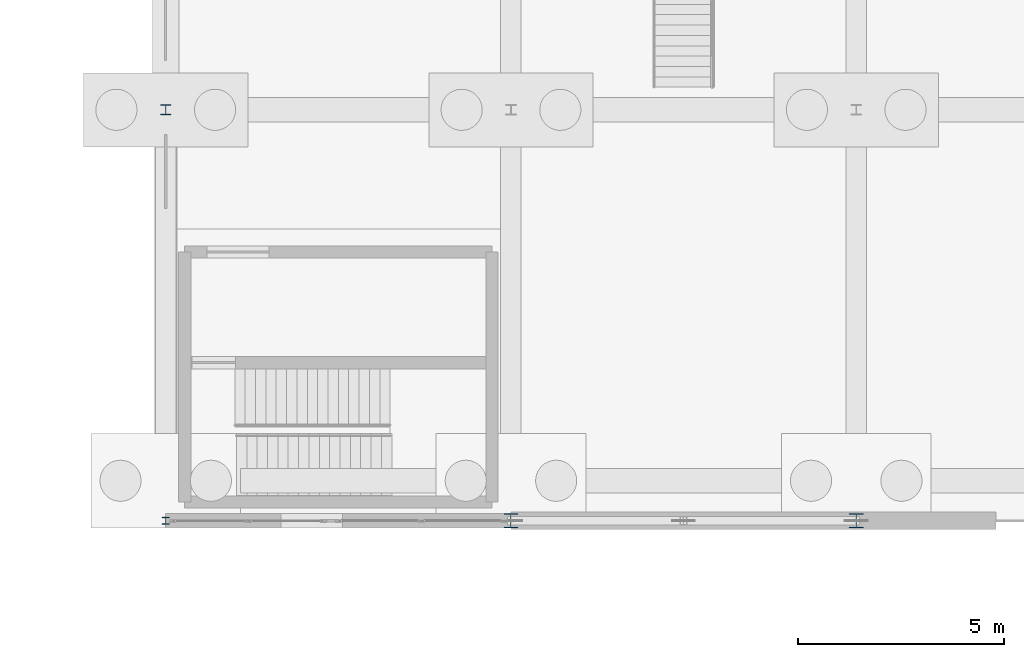
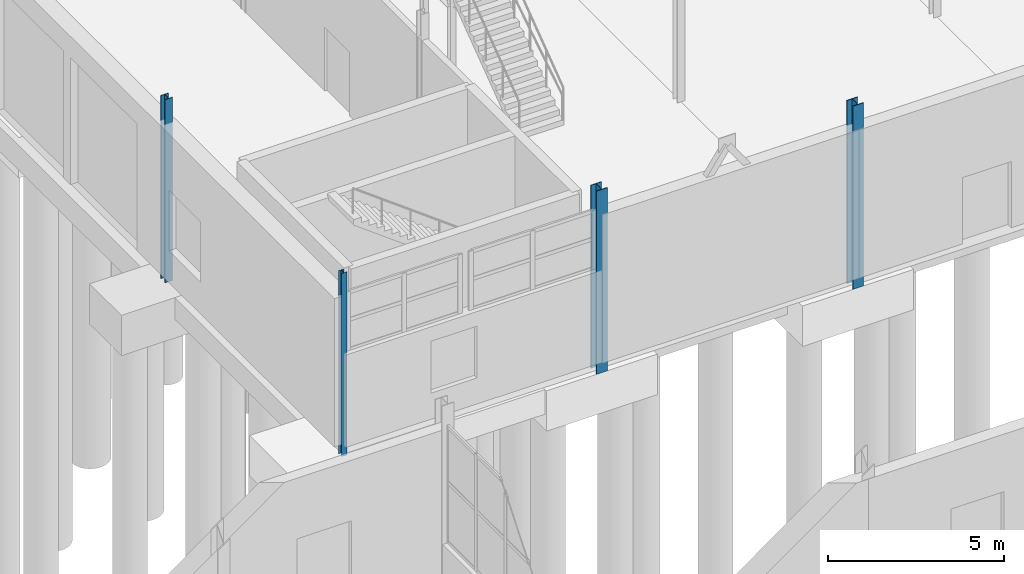
# One storey, part 23 of 139: 4 columns.
"""IFC4 building model written with IfcOpenShell, lengths in metres."""

from ifc_helpers import new_model, si_unit, direction, frame, origin, origin_2d, place, context, subcontext, project, spatial, i_section, extrude, material, material_profile, profile_set, type_object, element, save


model = new_model("IFC4")

# Units and contexts
model_context = context("Model", 3, precision=1e-05, world=origin(), true_north=direction((0.0, 1.0)))
body_context = subcontext(model_context, "Body", "Model", "MODEL_VIEW")
ifc_project = project(units=[si_unit("LENGTHUNIT", "METRE"), si_unit("AREAUNIT", "SQUARE_METRE"), si_unit("VOLUMEUNIT", "CUBIC_METRE"), si_unit("PLANEANGLEUNIT", "RADIAN"), si_unit("MASSUNIT", "GRAM", prefix="KILO")], contexts=[model_context])

# Site, building, storey
site_placement = place(None, origin())
site = spatial("IfcSite", under=ifc_project, at=site_placement, CompositionType="ELEMENT")
building_placement = place(site_placement, origin())
building = spatial("IfcBuilding", under=site, at=building_placement, Name="Kazenagashi Tramway Depot", CompositionType="ELEMENT")
storey_placement = place(building_placement, origin())
storey = spatial("IfcBuildingStorey", under=building, at=storey_placement, Name="L01", CompositionType="ELEMENT", Elevation=0.0)

# Columns
ifc_material_1 = material(Name="Steel SN490B", Category="steel")
ifc_material_profile_1 = material_profile(ifc_material_1, i_section(OverallWidth=0.35, OverallDepth=0.35, WebThickness=0.012, FlangeThickness=0.019, at=origin_2d()), Name="H-350x350x12x19")
ifc_profile_set_1 = profile_set([ifc_material_profile_1], Name="Steel SN490B")
column_type_1 = type_object("IfcColumnType", Name="C-04", PredefinedType="COLUMN", material=ifc_profile_set_1)
for number, where, z_axis, x_axis, name in (
    (1, (53.2, 70.0, -0.35), (0.0, 0.0, 1.0), (1.0, 0.0, 0.0), "Column C-04 COL-0007"),
    (2, (61.6, 70.0, -0.35), (0.0, 0.0, 1.0), (1.0, 0.0, 0.0), "Column C-04 COL-0013"),
):
    element("IfcColumn", number, at=place(storey_placement, frame(where, z_axis=z_axis, x_axis=x_axis)), inside=storey, type_object=column_type_1, Name=name, PredefinedType="COLUMN", context=body_context, shape_type="SweptSolid", body=[
        extrude(i_section(OverallWidth=0.35, OverallDepth=0.35, WebThickness=0.012, FlangeThickness=0.019, at=origin_2d()), origin(), (0.0, 0.0, 1.0), 6.35),
    ])
ifc_material_profile_2 = material_profile(ifc_material_1, i_section(OverallWidth=0.25, OverallDepth=0.25, WebThickness=0.009, FlangeThickness=0.014, at=origin_2d()), Name="H-250x250x9x14")
ifc_profile_set_2 = profile_set([ifc_material_profile_2], Name="Steel SN490B")
column_type_2 = type_object("IfcColumnType", Name="C-06", PredefinedType="COLUMN", material=ifc_profile_set_2)
column_1_placement = place(storey_placement, frame((44.8, 80.0, -0.35), z_axis=(0.0, 0.0, 1.0), x_axis=(1.0, 0.0, 0.0)))
element("IfcColumn", 3, at=column_1_placement, inside=storey, type_object=column_type_2, Name="Column C-06 COL-0115", PredefinedType="COLUMN", context=body_context, shape_type="SweptSolid", body=[
    extrude(i_section(OverallWidth=0.25, OverallDepth=0.25, WebThickness=0.009, FlangeThickness=0.014, at=origin_2d()), origin(), (0.0, 0.0, 1.0), 6.35),
])
ifc_material_2 = material(Name="Steel SN400B", Category="steel")
ifc_material_profile_3 = material_profile(ifc_material_2, i_section(OverallWidth=0.175, OverallDepth=0.175, WebThickness=0.0075, FlangeThickness=0.011, at=origin_2d()), Name="H-175x175x7.5x11")
ifc_profile_set_3 = profile_set([ifc_material_profile_3], Name="Steel SN400B")
column_type_3 = type_object("IfcColumnType", Name="C-08", PredefinedType="COLUMN", material=ifc_profile_set_3)
column_2_placement = place(storey_placement, frame((44.8, 70.0, -0.35), z_axis=(0.0, 0.0, 1.0), x_axis=(1.0, 0.0, 0.0)))
element("IfcColumn", 4, at=column_2_placement, inside=storey, type_object=column_type_3, Name="Column C-08 COL-0001", PredefinedType="COLUMN", context=body_context, shape_type="SweptSolid", body=[
    extrude(i_section(OverallWidth=0.175, OverallDepth=0.175, WebThickness=0.0075, FlangeThickness=0.011, at=origin_2d()), origin(), (0.0, 0.0, 1.0), 6.35),
])

save(model, "model.ifc")
